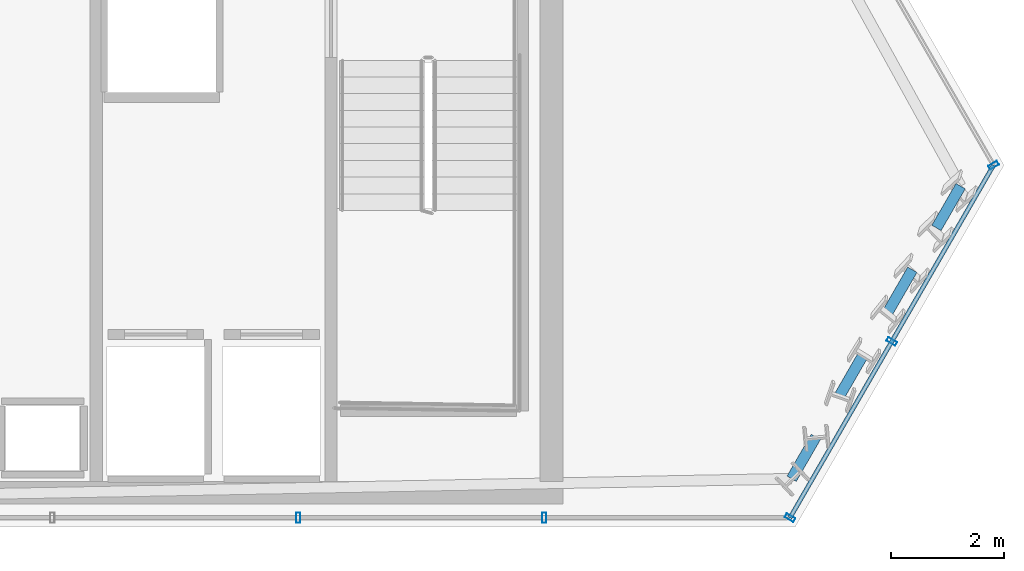
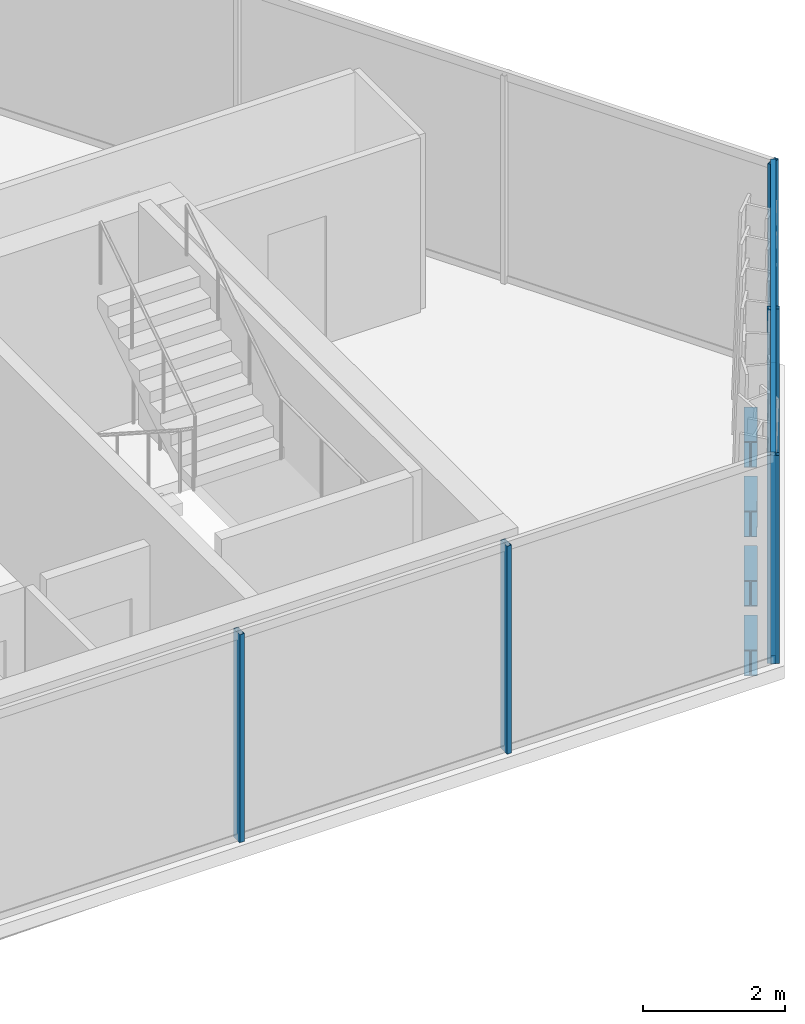
# One storey, part 14 of 29: 7 members, 4 beams, 3 elements without a shape of their own.
"""IFC4 building model written with IfcOpenShell, lengths in metres."""

from ifc_helpers import new_model, si_unit, direction, frame, origin, origin_2d, place, context, subcontext, project, spatial, hollow_rectangle, i_section, extrude, material, layer, layer_set, material_profile, profile_set, type_object, element, aggregate, save


model = new_model("IFC4")

# Units and contexts
model_context = context("Model", 3, precision=1e-05, world=origin(), true_north=direction((0.0, 1.0)))
body_context = subcontext(model_context, "Body", "Model", "MODEL_VIEW")
ifc_project = project(units=[si_unit("LENGTHUNIT", "METRE"), si_unit("AREAUNIT", "SQUARE_METRE"), si_unit("VOLUMEUNIT", "CUBIC_METRE"), si_unit("PLANEANGLEUNIT", "RADIAN"), si_unit("MASSUNIT", "GRAM", prefix="KILO")], contexts=[model_context])

# Site, building, storey
site_placement = place(None, origin())
site = spatial("IfcSite", under=ifc_project, at=site_placement, CompositionType="ELEMENT")
building_placement = place(site_placement, origin())
building = spatial("IfcBuilding", under=site, at=building_placement, Name="Ndaravel Arena Tower", CompositionType="ELEMENT")
storey_placement = place(building_placement, frame((0.0, 0.0, 237.0)))
storey = spatial("IfcBuildingStorey", under=building, at=storey_placement, Name="L57", CompositionType="ELEMENT", Elevation=237.0)

# Beams
ifc_material_1 = material(Name="Steel S355", Category="steel")
ifc_material_profile_1 = material_profile(ifc_material_1, i_section(OverallWidth=0.18994140625, OverallDepth=0.449951171875, WebThickness=0.009521484375, FlangeThickness=0.0146484375, FilletRadius=0.02099609375, at=origin_2d()), Name="IPE 450")
ifc_profile_set_1 = profile_set([ifc_material_profile_1], Name="Steel S355")
beam_type = type_object("IfcBeamType", Name="BM-SPAN-IPE450", PredefinedType="SPANDREL", material=ifc_profile_set_1)
beam_placement = place(storey_placement, frame((61.597412109375, 5.849609375, -0.445068359375), z_axis=(0.500044178772, 0.865999895656, 0.0), x_axis=(-0.865999895656, 0.500044178772, 0.0)))
element("IfcBeam", 1, at=beam_placement, inside=storey, type_object=beam_type, Name="L57 Perimeter Spandrel Beam SP-02", PredefinedType="SPANDREL", context=body_context, shape_type="SweptSolid", body=[
    extrude(i_section(OverallWidth=0.18994140625, OverallDepth=0.449951171875, WebThickness=0.009521484375, FlangeThickness=0.0146484375, FilletRadius=0.02099609375, at=origin_2d()), origin(), (0.0, 0.0, 1.0), 0.85400390625),
])
for number, where, z_axis, x_axis, name in (
    (2, (62.451171875, 7.328369140625, -0.445068359375), (0.499829718243, 0.866123693684, 0.0), (-0.866123693684, 0.499829718243, 0.0), "L57 Perimeter Spandrel Beam SP-04"),
    (3, (63.3046875, 8.80712890625, -0.445068359375), (0.5001680112, 0.86592838074, 0.0), (-0.86592838074, 0.5001680112, 0.0), "L57 Perimeter Spandrel Beam SP-06"),
    (4, (64.158447265625, 10.285888671875, -0.445068359375), (0.5001680112, 0.86592838074, 0.0), (-0.86592838074, 0.5001680112, 0.0), "L57 Perimeter Spandrel Beam SP-08"),
):
    element("IfcBeam", number, at=place(storey_placement, frame(where, z_axis=z_axis, x_axis=x_axis)), inside=storey, type_object=beam_type, Name=name, PredefinedType="SPANDREL", context=body_context, shape_type="SweptSolid", body=[
        extrude(i_section(OverallWidth=0.18994140625, OverallDepth=0.449951171875, WebThickness=0.009521484375, FlangeThickness=0.0146484375, FilletRadius=0.02099609375, at=origin_2d()), origin(), (0.0, 0.0, 1.0), 0.853759765625),
    ])

# Curtain wall, members
ifc_material_2 = material(Name="Aluminium", Category="aluminium")
ifc_layer_1 = layer(ifc_material_2, 0.179931640625)
ifc_layer_set_1 = layer_set([ifc_layer_1], Name="Aluminium")
curtain_wall_type_1 = type_object("IfcCurtainWallType", Name="CW-SYS-03", PredefinedType="NOTDEFINED", material=ifc_layer_set_1)
curtain_wall_1_placement = place(storey_placement, origin())
curtain_wall_1 = element("IfcCurtainWall", 5, at=curtain_wall_1_placement, inside=storey, type_object=curtain_wall_type_1, Name="L57 Faceted Crystal Curtain Wall CW-L57-E01", PredefinedType="NOTDEFINED")
ifc_material_3 = material(Name="Aluminium", Category="aluminium")
ifc_material_profile_2 = material_profile(ifc_material_3, hollow_rectangle(XDim=0.074951171875, YDim=0.179931640625, WallThickness=0.00390625, at=origin_2d()), Name="CW MULLION 75x180x4")
ifc_profile_set_2 = profile_set([ifc_material_profile_2], Name="Aluminium")
member_type_1 = type_object("IfcMemberType", Name="MEM-CW-MUL180", PredefinedType="MULLION", material=ifc_profile_set_2)
member_1_placement = place(storey_placement, frame((52.87158203125, 5.159912109375, 0.0), z_axis=(0.0, 0.0, 1.0), x_axis=(1.0, 0.0, 0.0)))
member_1 = element("IfcMember", 6, at=member_1_placement, type_object=member_type_1, Name="CW-L57-E01 Mullion 07", PredefinedType="MULLION", context=body_context, shape_type="SweptSolid", body=[
    extrude(hollow_rectangle(XDim=0.074951171875, YDim=0.179931640625, WallThickness=0.00390625, at=origin_2d()), origin(), (0.0, 0.0, 1.0), 3.580078125),
])
member_2_placement = place(storey_placement, frame((57.22021484375, 5.159912109375, 0.0), z_axis=(0.0, 0.0, 1.0), x_axis=(1.0, 0.0, 0.0)))
member_2 = element("IfcMember", 7, at=member_2_placement, type_object=member_type_1, Name="CW-L57-E01 Mullion 08", PredefinedType="MULLION", context=body_context, shape_type="SweptSolid", body=[
    extrude(hollow_rectangle(XDim=0.074951171875, YDim=0.179931640625, WallThickness=0.00390625, at=origin_2d()), origin(), (0.0, 0.0, 1.0), 3.580078125),
])
aggregate(curtain_wall_1, [member_1, member_2])

ifc_material_4 = material(Name="Aluminium", Category="aluminium")
ifc_layer_2 = layer(ifc_material_4, 0.179931640625)
ifc_layer_set_2 = layer_set([ifc_layer_2], Name="Aluminium")
curtain_wall_type_2 = type_object("IfcCurtainWallType", Name="CW-SYS-01", PredefinedType="NOTDEFINED", material=ifc_layer_set_2)
curtain_wall_2_placement = place(storey_placement, origin())
curtain_wall_2 = element("IfcCurtainWall", 8, at=curtain_wall_2_placement, inside=storey, type_object=curtain_wall_type_2, Name="L57 Faceted Crystal Curtain Wall CW-L57-E02", PredefinedType="NOTDEFINED")
member_3_placement = place(storey_placement, frame((61.568603515625, 5.159912109375, 0.0), z_axis=(0.0, 0.0, 1.0), x_axis=(0.499984884929, 0.866034130299, 0.0)))
member_3 = element("IfcMember", 9, at=member_3_placement, type_object=member_type_1, Name="CW-L57-E02 Mullion 00", PredefinedType="MULLION", context=body_context, shape_type="SweptSolid", body=[
    extrude(hollow_rectangle(XDim=0.074951171875, YDim=0.179931640625, WallThickness=0.00390625, at=origin_2d()), origin(), (0.0, 0.0, 1.0), 3.580078125),
])
member_4_placement = place(storey_placement, frame((63.368408203125, 8.27734375, 0.0), z_axis=(0.0, 0.0, 1.0), x_axis=(0.499984884929, 0.866034130299, 0.0)))
member_4 = element("IfcMember", 10, at=member_4_placement, type_object=member_type_1, Name="CW-L57-E02 Mullion 01", PredefinedType="MULLION", context=body_context, shape_type="SweptSolid", body=[
    extrude(hollow_rectangle(XDim=0.074951171875, YDim=0.179931640625, WallThickness=0.00390625, at=origin_2d()), origin(), (0.0, 0.0, 1.0), 3.580078125),
])

# Curtain wall, member
curtain_wall_3_placement = place(storey_placement, origin())
curtain_wall_3 = element("IfcCurtainWall", 11, at=curtain_wall_3_placement, inside=storey, type_object=curtain_wall_type_1, Name="L57 Faceted Crystal Curtain Wall CW-L57-E03", PredefinedType="NOTDEFINED")
member_5_placement = place(storey_placement, frame((65.168212890625, 11.39501953125, 0.0), z_axis=(0.0, 0.0, 1.0), x_axis=(-0.5, 0.866025403784, 0.0)))
member_5 = element("IfcMember", 12, at=member_5_placement, type_object=member_type_1, Name="CW-L57-E03 Mullion 00", PredefinedType="MULLION", context=body_context, shape_type="SweptSolid", body=[
    extrude(hollow_rectangle(XDim=0.074951171875, YDim=0.179931640625, WallThickness=0.00390625, at=origin_2d()), origin(), (0.0, 0.0, 1.0), 3.580078125),
])
aggregate(curtain_wall_3, [member_5])

# Member
ifc_material_5 = material(Name="Aluminium", Category="aluminium")
ifc_material_profile_3 = material_profile(ifc_material_5, hollow_rectangle(XDim=0.074951171875, YDim=0.14990234375, WallThickness=0.00390625, at=origin_2d()), Name="CW TRANSOM 75x150x4")
ifc_profile_set_3 = profile_set([ifc_material_profile_3], Name="Aluminium")
member_type_2 = type_object("IfcMemberType", Name="MEM-CW-TRN150", PredefinedType="USERDEFINED", material=ifc_profile_set_3)
member_6_placement = place(storey_placement, frame((61.568603515625, 5.159912109375, 0.0400390625), z_axis=(0.499975876118, 0.866039331266, 0.0), x_axis=(-0.866039331266, 0.499975876118, 0.0)))
member_6 = element("IfcMember", 13, at=member_6_placement, type_object=member_type_2, Name="CW-L57-E02 Transom 01", ObjectType="TRANSOM", PredefinedType="USERDEFINED", context=body_context, shape_type="SweptSolid", body=[
    extrude(hollow_rectangle(XDim=0.074951171875, YDim=0.14990234375, WallThickness=0.00390625, at=origin_2d()), origin(), (0.0, 0.0, 1.0), 7.199462890625),
])

member_7_placement = place(storey_placement, frame((61.568603515625, 5.159912109375, 3.5400390625), z_axis=(0.499975876118, 0.866039331266, 0.0), x_axis=(-0.866039331266, 0.499975876118, 0.0)))
member_7 = element("IfcMember", 14, at=member_7_placement, type_object=member_type_2, Name="CW-L57-E02 Transom 02", ObjectType="TRANSOM", PredefinedType="USERDEFINED", context=body_context, shape_type="SweptSolid", body=[
    extrude(hollow_rectangle(XDim=0.074951171875, YDim=0.14990234375, WallThickness=0.00390625, at=origin_2d()), origin(), (0.0, 0.0, 1.0), 7.199462890625),
])

aggregate(curtain_wall_2, [member_3, member_4, member_6, member_7])

save(model, "model.ifc")
